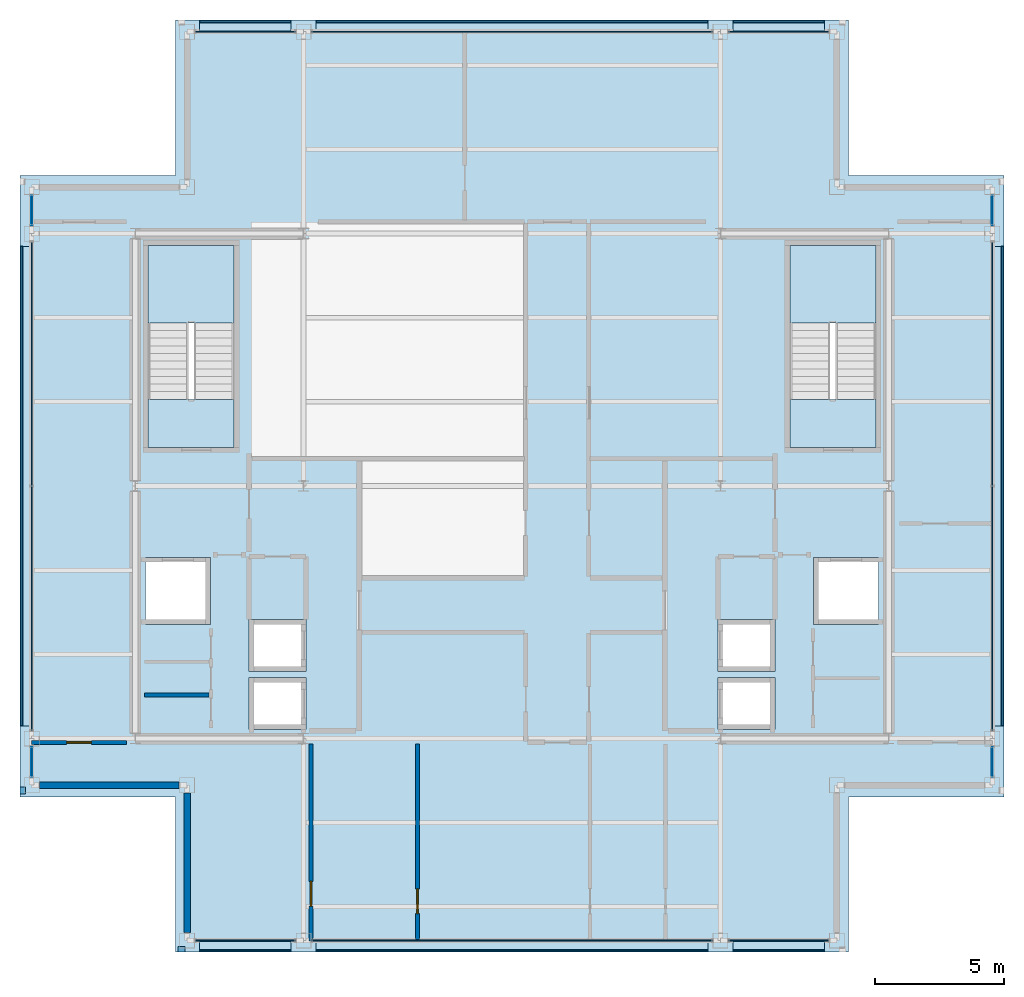
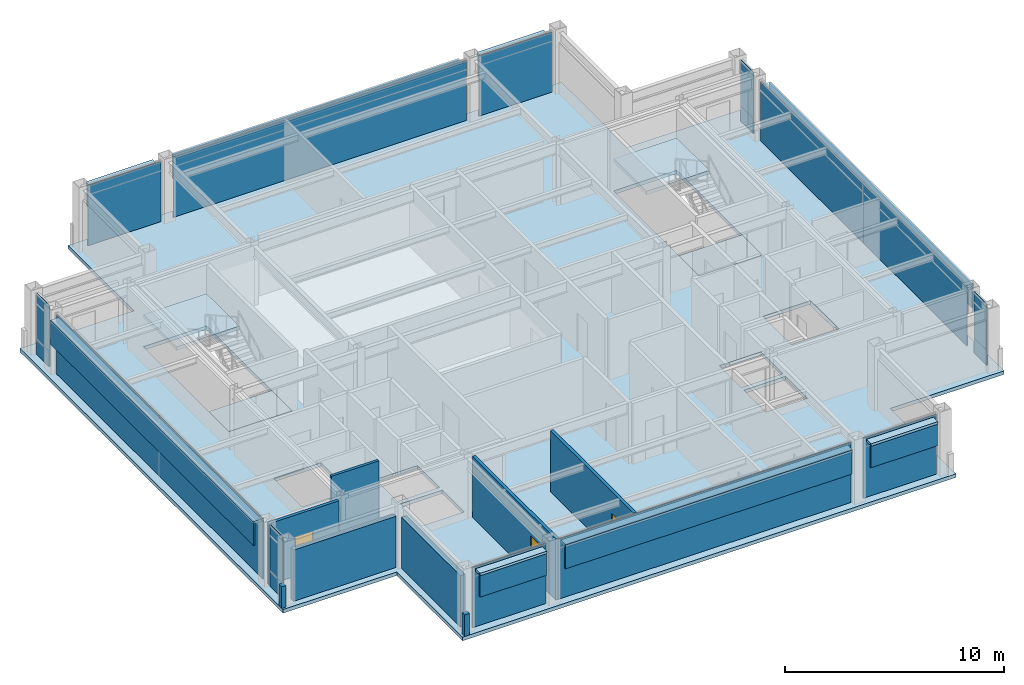
# One storey, part 16 of 20: 34 plates, 8 walls, 5 slabs, 3 doors, 3 openings, 14 elements without a shape of their own.
"""IFC4 building model written with IfcOpenShell, lengths in metres."""

from ifc_helpers import new_model, si_unit, direction, frame, frame_2d, origin, origin_2d, place, context, subcontext, project, spatial, polyline, rectangle, outline, extrude, material, layer, layer_set, type_object, element, fill, aggregate, save


model = new_model("IFC4")

# Units and contexts
model_context = context("Model", 3, precision=1e-05, world=origin(), true_north=direction((0.0, 1.0)))
body_context = subcontext(model_context, "Body", "Model", "MODEL_VIEW")
ifc_project = project(units=[si_unit("LENGTHUNIT", "METRE"), si_unit("AREAUNIT", "SQUARE_METRE"), si_unit("VOLUMEUNIT", "CUBIC_METRE"), si_unit("PLANEANGLEUNIT", "RADIAN"), si_unit("MASSUNIT", "GRAM", prefix="KILO")], contexts=[model_context])

# Site, building, storey
site_placement = place(None, origin())
site = spatial("IfcSite", under=ifc_project, at=site_placement, CompositionType="ELEMENT")
building_placement = place(site_placement, origin())
building = spatial("IfcBuilding", under=site, at=building_placement, Name="Brelmoor Portico Tower", CompositionType="ELEMENT")
storey_placement = place(building_placement, frame((0.0, 0.0, 272.39990234375)))
storey = spatial("IfcBuildingStorey", under=building, at=storey_placement, Name="L72", CompositionType="ELEMENT", Elevation=272.39990234375)

# Curtain wall, plate
ifc_material_1 = material(Name="Anodised Aluminium Alloy 6063-T6", Category="aluminium")
ifc_layer_1 = layer(ifc_material_1, 0.179931640625)
ifc_layer_set_1 = layer_set([ifc_layer_1], Name="Anodised Aluminium Alloy 6063-T6")
curtain_wall_type_1 = type_object("IfcCurtainWallType", Name="CW-TOWER-Z4", PredefinedType="NOTDEFINED", material=ifc_layer_set_1)
curtain_wall_1_placement = place(storey_placement, origin())
curtain_wall_1 = element("IfcCurtainWall", 1, at=curtain_wall_1_placement, inside=storey, type_object=curtain_wall_type_1, Name="L72 Curtain Wall CW-L72-03-1", PredefinedType="NOTDEFINED")
ifc_material_2 = material(Name="Double-Silver Low-E Insulated Glazing", Category="glass")
ifc_layer_2 = layer(ifc_material_2, 0.035888671875)
ifc_layer_set_2 = layer_set([ifc_layer_2], Name="Double-Silver Low-E Insulated Glazing")
plate_type_1 = type_object("IfcPlateType", Name="PT-CW-GLASS", PredefinedType="CURTAIN_PANEL", material=ifc_layer_set_2)
plate_1_placement = place(storey_placement, frame((-18.550048828125, -10.64990234375, 0.85009765625), z_axis=(0.0, 0.0, 1.0), x_axis=(0.0, 1.0, 0.0)))
plate_1 = element("IfcPlate", 2, at=plate_1_placement, type_object=plate_type_1, Name="CW-L72-03-1 Vision Glass Panel 00", PredefinedType="CURTAIN_PANEL", context=body_context, shape_type="SweptSolid", body=[
    extrude(rectangle(XDim=1.14990234375, YDim=0.035888671875, at=origin_2d()), origin(), (0.0, 0.0, 1.0), 2.550048828125),
])

curtain_wall_2_placement = place(storey_placement, origin())
curtain_wall_2 = element("IfcCurtainWall", 3, at=curtain_wall_2_placement, inside=storey, type_object=curtain_wall_type_1, Name="L72 Curtain Wall CW-L72-03-3", PredefinedType="NOTDEFINED")
plate_2_placement = place(storey_placement, frame((-18.550048828125, 10.64990234375, 0.85009765625), z_axis=(0.0, 0.0, 1.0), x_axis=(0.0, 1.0, 0.0)))
plate_2 = element("IfcPlate", 4, at=plate_2_placement, type_object=plate_type_1, Name="CW-L72-03-3 Vision Glass Panel 00", PredefinedType="CURTAIN_PANEL", context=body_context, shape_type="SweptSolid", body=[
    extrude(rectangle(XDim=1.14990234375, YDim=0.035888671875, at=origin_2d()), origin(), (0.0, 0.0, 1.0), 2.550048828125),
])

curtain_wall_3_placement = place(storey_placement, origin())
curtain_wall_3 = element("IfcCurtainWall", 5, at=curtain_wall_3_placement, inside=storey, type_object=curtain_wall_type_1, Name="L72 Curtain Wall CW-L72-04-1", PredefinedType="NOTDEFINED")
plate_3_placement = place(storey_placement, frame((18.550048828125, -10.64990234375, 0.85009765625), z_axis=(0.0, 0.0, 1.0), x_axis=(0.0, 1.0, 0.0)))
plate_3 = element("IfcPlate", 6, at=plate_3_placement, type_object=plate_type_1, Name="CW-L72-04-1 Vision Glass Panel 00", PredefinedType="CURTAIN_PANEL", context=body_context, shape_type="SweptSolid", body=[
    extrude(rectangle(XDim=1.14990234375, YDim=0.035888671875, at=origin_2d()), origin(), (0.0, 0.0, 1.0), 2.550048828125),
])

curtain_wall_4_placement = place(storey_placement, origin())
curtain_wall_4 = element("IfcCurtainWall", 7, at=curtain_wall_4_placement, inside=storey, type_object=curtain_wall_type_1, Name="L72 Curtain Wall CW-L72-04-3", PredefinedType="NOTDEFINED")
plate_4_placement = place(storey_placement, frame((18.550048828125, 10.64990234375, 0.85009765625), z_axis=(0.0, 0.0, 1.0), x_axis=(0.0, 1.0, 0.0)))
plate_4 = element("IfcPlate", 8, at=plate_4_placement, type_object=plate_type_1, Name="CW-L72-04-3 Vision Glass Panel 00", PredefinedType="CURTAIN_PANEL", context=body_context, shape_type="SweptSolid", body=[
    extrude(rectangle(XDim=1.14990234375, YDim=0.035888671875, at=origin_2d()), origin(), (0.0, 0.0, 1.0), 2.550048828125),
])

ifc_layer_3 = layer(ifc_material_1, 0.179931640625)
ifc_layer_set_3 = layer_set([ifc_layer_3], Name="Anodised Aluminium Alloy 6063-T6")
curtain_wall_type_2 = type_object("IfcCurtainWallType", Name="CW-TOWER-Z4-XB", PredefinedType="NOTDEFINED", material=ifc_layer_set_3)
curtain_wall_5_placement = place(storey_placement, origin())
curtain_wall_5 = element("IfcCurtainWall", 9, at=curtain_wall_5_placement, inside=storey, type_object=curtain_wall_type_2, Name="L72 Curtain Wall CW-L72-01-1", PredefinedType="NOTDEFINED")
ifc_material_3 = material(Name="Pale Champagne Anodised Aluminium Panel", Category="aluminium")
ifc_layer_4 = layer(ifc_material_3, 0.050048828125)
ifc_layer_set_4 = layer_set([ifc_layer_4], Name="Pale Champagne Anodised Aluminium Panel")
plate_type_2 = type_object("IfcPlateType", Name="PT-CW-SPANDREL", PredefinedType="SHEET", material=ifc_layer_set_4)
plate_5_placement = place(storey_placement, frame((-10.300048828125, -17.550048828125, 0.0), z_axis=(0.0, 0.0, 1.0), x_axis=(1.0, 0.0, 0.0)))
plate_5 = element("IfcPlate", 10, at=plate_5_placement, type_object=plate_type_2, Name="CW-L72-01-1 Spandrel Panel 00", PredefinedType="SHEET", context=body_context, shape_type="SweptSolid", body=[
    extrude(rectangle(XDim=3.85009765625, YDim=0.050048828125, at=origin_2d()), origin(), (0.0, 0.0, 1.0), 3.33740234375),
])
aggregate(curtain_wall_5, [plate_5])

curtain_wall_6_placement = place(storey_placement, origin())
curtain_wall_6 = element("IfcCurtainWall", 11, at=curtain_wall_6_placement, inside=storey, type_object=curtain_wall_type_2, Name="L72 Curtain Wall CW-L72-01-2", PredefinedType="NOTDEFINED")
plate_6_placement = place(storey_placement, frame((0.0, -17.550048828125, 0.0), z_axis=(0.0, 0.0, 1.0), x_axis=(1.0, 0.0, 0.0)))
plate_6 = element("IfcPlate", 12, at=plate_6_placement, type_object=plate_type_2, Name="CW-L72-01-2 Spandrel Panel 00", PredefinedType="SHEET", context=body_context, shape_type="SweptSolid", body=[
    extrude(rectangle(XDim=15.449951171875, YDim=0.050048828125, at=origin_2d()), origin(), (0.0, 0.0, 1.0), 3.33740234375),
])
aggregate(curtain_wall_6, [plate_6])

curtain_wall_7_placement = place(storey_placement, origin())
curtain_wall_7 = element("IfcCurtainWall", 13, at=curtain_wall_7_placement, inside=storey, type_object=curtain_wall_type_2, Name="L72 Curtain Wall CW-L72-01-3", PredefinedType="NOTDEFINED")
plate_7_placement = place(storey_placement, frame((10.300048828125, -17.550048828125, 0.0), z_axis=(0.0, 0.0, 1.0), x_axis=(1.0, 0.0, 0.0)))
plate_7 = element("IfcPlate", 14, at=plate_7_placement, type_object=plate_type_2, Name="CW-L72-01-3 Spandrel Panel 00", PredefinedType="SHEET", context=body_context, shape_type="SweptSolid", body=[
    extrude(rectangle(XDim=3.85009765625, YDim=0.050048828125, at=origin_2d()), origin(), (0.0, 0.0, 1.0), 3.33740234375),
])
aggregate(curtain_wall_7, [plate_7])

curtain_wall_8_placement = place(storey_placement, origin())
curtain_wall_8 = element("IfcCurtainWall", 15, at=curtain_wall_8_placement, inside=storey, type_object=curtain_wall_type_2, Name="L72 Curtain Wall CW-L72-02-1", PredefinedType="NOTDEFINED")
plate_8_placement = place(storey_placement, frame((-10.300048828125, 17.550048828125, 0.0), z_axis=(0.0, 0.0, 1.0), x_axis=(1.0, 0.0, 0.0)))
plate_8 = element("IfcPlate", 16, at=plate_8_placement, type_object=plate_type_2, Name="CW-L72-02-1 Spandrel Panel 00", PredefinedType="SHEET", context=body_context, shape_type="SweptSolid", body=[
    extrude(rectangle(XDim=3.85009765625, YDim=0.050048828125, at=origin_2d()), origin(), (0.0, 0.0, 1.0), 3.33740234375),
])
aggregate(curtain_wall_8, [plate_8])

curtain_wall_9_placement = place(storey_placement, origin())
curtain_wall_9 = element("IfcCurtainWall", 17, at=curtain_wall_9_placement, inside=storey, type_object=curtain_wall_type_2, Name="L72 Curtain Wall CW-L72-02-2", PredefinedType="NOTDEFINED")
plate_9_placement = place(storey_placement, frame((0.0, 17.550048828125, 0.0), z_axis=(0.0, 0.0, 1.0), x_axis=(1.0, 0.0, 0.0)))
plate_9 = element("IfcPlate", 18, at=plate_9_placement, type_object=plate_type_2, Name="CW-L72-02-2 Spandrel Panel 00", PredefinedType="SHEET", context=body_context, shape_type="SweptSolid", body=[
    extrude(rectangle(XDim=15.449951171875, YDim=0.050048828125, at=origin_2d()), origin(), (0.0, 0.0, 1.0), 3.33740234375),
])
aggregate(curtain_wall_9, [plate_9])

curtain_wall_10_placement = place(storey_placement, origin())
curtain_wall_10 = element("IfcCurtainWall", 19, at=curtain_wall_10_placement, inside=storey, type_object=curtain_wall_type_2, Name="L72 Curtain Wall CW-L72-02-3", PredefinedType="NOTDEFINED")
plate_10_placement = place(storey_placement, frame((10.300048828125, 17.550048828125, 0.0), z_axis=(0.0, 0.0, 1.0), x_axis=(1.0, 0.0, 0.0)))
plate_10 = element("IfcPlate", 20, at=plate_10_placement, type_object=plate_type_2, Name="CW-L72-02-3 Spandrel Panel 00", PredefinedType="SHEET", context=body_context, shape_type="SweptSolid", body=[
    extrude(rectangle(XDim=3.85009765625, YDim=0.050048828125, at=origin_2d()), origin(), (0.0, 0.0, 1.0), 3.33740234375),
])
aggregate(curtain_wall_10, [plate_10])

# Plate
plate_11_placement = place(storey_placement, frame((-18.550048828125, -10.64990234375, 0.0), z_axis=(0.0, 0.0, 1.0), x_axis=(0.0, 1.0, 0.0)))
plate_11 = element("IfcPlate", 21, at=plate_11_placement, type_object=plate_type_2, Name="CW-L72-03-1 Spandrel Panel 00", PredefinedType="SHEET", context=body_context, shape_type="SweptSolid", body=[
    extrude(rectangle(XDim=1.14990234375, YDim=0.050048828125, at=origin_2d()), origin(), (0.0, 0.0, 1.0), 0.85009765625),
])

aggregate(curtain_wall_1, [plate_11, plate_1])

# Curtain wall, plates
curtain_wall_11_placement = place(storey_placement, origin())
curtain_wall_11 = element("IfcCurtainWall", 22, at=curtain_wall_11_placement, inside=storey, type_object=curtain_wall_type_2, Name="L72 Curtain Wall CW-L72-03-2", PredefinedType="NOTDEFINED")
plate_12_placement = place(storey_placement, frame((-18.550048828125, -4.719970703125, 0.0), z_axis=(0.0, 0.0, 1.0), x_axis=(0.0, 1.0, 0.0)))
plate_12 = element("IfcPlate", 23, at=plate_12_placement, type_object=plate_type_2, Name="CW-L72-03-2 Spandrel Panel 00", PredefinedType="SHEET", context=body_context, shape_type="SweptSolid", body=[
    extrude(rectangle(XDim=9.409912109375, YDim=0.050048828125, at=origin_2d()), origin(), (0.0, 0.0, 1.0), 3.33740234375),
])
plate_13_placement = place(storey_placement, frame((-18.550048828125, 4.719970703125, 0.0), z_axis=(0.0, 0.0, 1.0), x_axis=(0.0, 1.0, 0.0)))
plate_13 = element("IfcPlate", 24, at=plate_13_placement, type_object=plate_type_2, Name="CW-L72-03-2 Spandrel Panel 01", PredefinedType="SHEET", context=body_context, shape_type="SweptSolid", body=[
    extrude(rectangle(XDim=9.409912109375, YDim=0.050048828125, at=origin_2d()), origin(), (0.0, 0.0, 1.0), 3.33740234375),
])
aggregate(curtain_wall_11, [plate_12, plate_13])

# Plate
plate_14_placement = place(storey_placement, frame((-18.550048828125, 10.64990234375, 0.0), z_axis=(0.0, 0.0, 1.0), x_axis=(0.0, 1.0, 0.0)))
plate_14 = element("IfcPlate", 25, at=plate_14_placement, type_object=plate_type_2, Name="CW-L72-03-3 Spandrel Panel 00", PredefinedType="SHEET", context=body_context, shape_type="SweptSolid", body=[
    extrude(rectangle(XDim=1.14990234375, YDim=0.050048828125, at=origin_2d()), origin(), (0.0, 0.0, 1.0), 0.85009765625),
])

aggregate(curtain_wall_2, [plate_14, plate_2])

plate_15_placement = place(storey_placement, frame((18.550048828125, -10.64990234375, 0.0), z_axis=(0.0, 0.0, 1.0), x_axis=(0.0, 1.0, 0.0)))
plate_15 = element("IfcPlate", 26, at=plate_15_placement, type_object=plate_type_2, Name="CW-L72-04-1 Spandrel Panel 00", PredefinedType="SHEET", context=body_context, shape_type="SweptSolid", body=[
    extrude(rectangle(XDim=1.14990234375, YDim=0.050048828125, at=origin_2d()), origin(), (0.0, 0.0, 1.0), 0.85009765625),
])

aggregate(curtain_wall_3, [plate_15, plate_3])

# Curtain wall, plates
curtain_wall_12_placement = place(storey_placement, origin())
curtain_wall_12 = element("IfcCurtainWall", 27, at=curtain_wall_12_placement, inside=storey, type_object=curtain_wall_type_2, Name="L72 Curtain Wall CW-L72-04-2", PredefinedType="NOTDEFINED")
plate_16_placement = place(storey_placement, frame((18.550048828125, -4.719970703125, 0.0), z_axis=(0.0, 0.0, 1.0), x_axis=(0.0, 1.0, 0.0)))
plate_16 = element("IfcPlate", 28, at=plate_16_placement, type_object=plate_type_2, Name="CW-L72-04-2 Spandrel Panel 00", PredefinedType="SHEET", context=body_context, shape_type="SweptSolid", body=[
    extrude(rectangle(XDim=9.409912109375, YDim=0.050048828125, at=origin_2d()), origin(), (0.0, 0.0, 1.0), 3.33740234375),
])
plate_17_placement = place(storey_placement, frame((18.550048828125, 4.719970703125, 0.0), z_axis=(0.0, 0.0, 1.0), x_axis=(0.0, 1.0, 0.0)))
plate_17 = element("IfcPlate", 29, at=plate_17_placement, type_object=plate_type_2, Name="CW-L72-04-2 Spandrel Panel 01", PredefinedType="SHEET", context=body_context, shape_type="SweptSolid", body=[
    extrude(rectangle(XDim=9.409912109375, YDim=0.050048828125, at=origin_2d()), origin(), (0.0, 0.0, 1.0), 3.33740234375),
])
aggregate(curtain_wall_12, [plate_16, plate_17])

# Plate
plate_18_placement = place(storey_placement, frame((18.550048828125, 10.64990234375, 0.0), z_axis=(0.0, 0.0, 1.0), x_axis=(0.0, 1.0, 0.0)))
plate_18 = element("IfcPlate", 30, at=plate_18_placement, type_object=plate_type_2, Name="CW-L72-04-3 Spandrel Panel 00", PredefinedType="SHEET", context=body_context, shape_type="SweptSolid", body=[
    extrude(rectangle(XDim=1.14990234375, YDim=0.050048828125, at=origin_2d()), origin(), (0.0, 0.0, 1.0), 0.85009765625),
])

aggregate(curtain_wall_4, [plate_18, plate_4])

# Plates
ifc_material_4 = material(Name="Powder-Coated Aluminium Shuttered Jalousie Louvre", Category="aluminium")
ifc_layer_5 = layer(ifc_material_4, 0.06005859375)
ifc_layer_set_5 = layer_set([ifc_layer_5], Name="Powder-Coated Aluminium Shuttered Jalousie Louvre")
plate_type_3 = type_object("IfcPlateType", Name="PT-JALOUSIE-SHUTTER", PredefinedType="SHEET", material=ifc_layer_set_5)
plate_19_placement = place(storey_placement, frame((-10.300048828125, -17.929931640625, 1.8740234375), z_axis=(0.0, 0.0, 1.0), x_axis=(1.0, 0.0, 0.0)))
element("IfcPlate", 31, at=plate_19_placement, inside=storey, type_object=plate_type_3, Name="CW-L72-01-1 Perforated Jalousie Solar Screen", PredefinedType="SHEET", context=body_context, shape_type="SweptSolid", body=[
    extrude(rectangle(XDim=3.52001953125, YDim=0.06494140625, at=origin_2d()), origin(), (0.0, 0.0, 1.0), 1.325927734375),
])
plate_20_placement = place(storey_placement, frame((0.0, -17.929931640625, 1.8740234375), z_axis=(0.0, 0.0, 1.0), x_axis=(1.0, 0.0, 0.0)))
element("IfcPlate", 32, at=plate_20_placement, inside=storey, type_object=plate_type_3, Name="CW-L72-01-2 Perforated Jalousie Solar Screen", PredefinedType="SHEET", context=body_context, shape_type="SweptSolid", body=[
    extrude(rectangle(XDim=15.1201171875, YDim=0.06494140625, at=origin_2d()), origin(), (0.0, 0.0, 1.0), 1.325927734375),
])
for number, where, z_axis, x_axis, name in (
    (33, (10.300048828125, -17.929931640625, 1.8740234375), (0.0, 0.0, 1.0), (1.0, 0.0, 0.0), "CW-L72-01-3 Perforated Jalousie Solar Screen"),
    (34, (-10.300048828125, 17.929931640625, 1.8740234375), (0.0, 0.0, 1.0), (1.0, 0.0, 0.0), "CW-L72-02-1 Perforated Jalousie Solar Screen"),
):
    element("IfcPlate", number, at=place(storey_placement, frame(where, z_axis=z_axis, x_axis=x_axis)), inside=storey, type_object=plate_type_3, Name=name, PredefinedType="SHEET", context=body_context, shape_type="SweptSolid", body=[
        extrude(rectangle(XDim=3.52001953125, YDim=0.06494140625, at=origin_2d()), origin(), (0.0, 0.0, 1.0), 1.325927734375),
    ])
plate_21_placement = place(storey_placement, frame((0.0, 17.929931640625, 1.8740234375), z_axis=(0.0, 0.0, 1.0), x_axis=(1.0, 0.0, 0.0)))
element("IfcPlate", 35, at=plate_21_placement, inside=storey, type_object=plate_type_3, Name="CW-L72-02-2 Perforated Jalousie Solar Screen", PredefinedType="SHEET", context=body_context, shape_type="SweptSolid", body=[
    extrude(rectangle(XDim=15.1201171875, YDim=0.06494140625, at=origin_2d()), origin(), (0.0, 0.0, 1.0), 1.325927734375),
])
plate_22_placement = place(storey_placement, frame((10.300048828125, 17.929931640625, 1.8740234375), z_axis=(0.0, 0.0, 1.0), x_axis=(1.0, 0.0, 0.0)))
element("IfcPlate", 36, at=plate_22_placement, inside=storey, type_object=plate_type_3, Name="CW-L72-02-3 Perforated Jalousie Solar Screen", PredefinedType="SHEET", context=body_context, shape_type="SweptSolid", body=[
    extrude(rectangle(XDim=3.52001953125, YDim=0.06494140625, at=origin_2d()), origin(), (0.0, 0.0, 1.0), 1.325927734375),
])
for number, where, z_axis, x_axis, name in (
    (37, (-18.929931640625, 0.0, 1.8740234375), (0.0, 0.0, 1.0), (0.0, 1.0, 0.0), "CW-L72-03-2 Perforated Jalousie Solar Screen"),
    (38, (18.929931640625, 0.0, 1.8740234375), (0.0, 0.0, 1.0), (0.0, 1.0, 0.0), "CW-L72-04-2 Perforated Jalousie Solar Screen"),
):
    element("IfcPlate", number, at=place(storey_placement, frame(where, z_axis=z_axis, x_axis=x_axis)), inside=storey, type_object=plate_type_3, Name=name, PredefinedType="SHEET", context=body_context, shape_type="SweptSolid", body=[
        extrude(rectangle(XDim=18.52001953125, YDim=0.06494140625, at=origin_2d()), origin(), (0.0, 0.0, 1.0), 1.325927734375),
    ])
ifc_material_5 = material(Name="Pale Champagne Perforated Aluminium Solar Screen", Category="aluminium")
ifc_layer_6 = layer(ifc_material_5, 0.054931640625)
ifc_layer_set_6 = layer_set([ifc_layer_6], Name="Pale Champagne Perforated Aluminium Solar Screen")
plate_type_4 = type_object("IfcPlateType", Name="PT-SOLAR-LOUVRE", PredefinedType="SHEET", material=ifc_layer_set_6)
plate_23_placement = place(storey_placement, frame((-10.300048828125, -17.760009765625, 3.09033203125), z_axis=(0.0, 0.0, 1.0), x_axis=(1.0, 0.0, 0.0)))
element("IfcPlate", 39, at=plate_23_placement, inside=storey, type_object=plate_type_4, Name="CW-L72-01-1 Caribbean Brise-Soleil Solar Screen", PredefinedType="SHEET", context=body_context, shape_type="SweptSolid", body=[
    extrude(rectangle(XDim=3.52001953125, YDim=0.4599609375, at=origin_2d()), origin(), (0.0, 0.0, 1.0), 0.139892578125),
])
plate_24_placement = place(storey_placement, frame((0.0, -17.760009765625, 3.09033203125), z_axis=(0.0, 0.0, 1.0), x_axis=(1.0, 0.0, 0.0)))
element("IfcPlate", 40, at=plate_24_placement, inside=storey, type_object=plate_type_4, Name="CW-L72-01-2 Caribbean Brise-Soleil Solar Screen", PredefinedType="SHEET", context=body_context, shape_type="SweptSolid", body=[
    extrude(rectangle(XDim=15.1201171875, YDim=0.4599609375, at=origin_2d()), origin(), (0.0, 0.0, 1.0), 0.139892578125),
])
for number, where, z_axis, x_axis, name in (
    (41, (10.300048828125, -17.760009765625, 3.09033203125), (0.0, 0.0, 1.0), (1.0, 0.0, 0.0), "CW-L72-01-3 Caribbean Brise-Soleil Solar Screen"),
    (42, (-10.300048828125, 17.760009765625, 3.09033203125), (0.0, 0.0, 1.0), (1.0, 0.0, 0.0), "CW-L72-02-1 Caribbean Brise-Soleil Solar Screen"),
):
    element("IfcPlate", number, at=place(storey_placement, frame(where, z_axis=z_axis, x_axis=x_axis)), inside=storey, type_object=plate_type_4, Name=name, PredefinedType="SHEET", context=body_context, shape_type="SweptSolid", body=[
        extrude(rectangle(XDim=3.52001953125, YDim=0.4599609375, at=origin_2d()), origin(), (0.0, 0.0, 1.0), 0.139892578125),
    ])
plate_25_placement = place(storey_placement, frame((0.0, 17.760009765625, 3.09033203125), z_axis=(0.0, 0.0, 1.0), x_axis=(1.0, 0.0, 0.0)))
element("IfcPlate", 43, at=plate_25_placement, inside=storey, type_object=plate_type_4, Name="CW-L72-02-2 Caribbean Brise-Soleil Solar Screen", PredefinedType="SHEET", context=body_context, shape_type="SweptSolid", body=[
    extrude(rectangle(XDim=15.1201171875, YDim=0.4599609375, at=origin_2d()), origin(), (0.0, 0.0, 1.0), 0.139892578125),
])
plate_26_placement = place(storey_placement, frame((10.300048828125, 17.760009765625, 3.09033203125), z_axis=(0.0, 0.0, 1.0), x_axis=(1.0, 0.0, 0.0)))
element("IfcPlate", 44, at=plate_26_placement, inside=storey, type_object=plate_type_4, Name="CW-L72-02-3 Caribbean Brise-Soleil Solar Screen", PredefinedType="SHEET", context=body_context, shape_type="SweptSolid", body=[
    extrude(rectangle(XDim=3.52001953125, YDim=0.4599609375, at=origin_2d()), origin(), (0.0, 0.0, 1.0), 0.139892578125),
])
for number, where, z_axis, x_axis, name in (
    (45, (-18.760009765625, 0.0, 3.09033203125), (0.0, 0.0, 1.0), (0.0, 1.0, 0.0), "CW-L72-03-2 Caribbean Brise-Soleil Solar Screen"),
    (46, (18.760009765625, 0.0, 3.09033203125), (0.0, 0.0, 1.0), (0.0, 1.0, 0.0), "CW-L72-04-2 Caribbean Brise-Soleil Solar Screen"),
):
    element("IfcPlate", number, at=place(storey_placement, frame(where, z_axis=z_axis, x_axis=x_axis)), inside=storey, type_object=plate_type_4, Name=name, PredefinedType="SHEET", context=body_context, shape_type="SweptSolid", body=[
        extrude(rectangle(XDim=18.52001953125, YDim=0.4599609375, at=origin_2d()), origin(), (0.0, 0.0, 1.0), 0.139892578125),
    ])

# Slab
ifc_material_6 = material(Name="Concrete C40", Category="concrete")
ifc_layer_7 = layer(ifc_material_6, 0.199951171875)
ifc_layer_set_7 = layer_set([ifc_layer_7], Name="Concrete C40")
slab_type_1 = type_object("IfcSlabType", Name="SL-FLOOR-200", PredefinedType="FLOOR", material=ifc_layer_set_7)
slab_1_placement = place(storey_placement, frame((0.0, 0.0, -0.199951171875)))
element("IfcSlab", 47, at=slab_1_placement, inside=storey, type_object=slab_type_1, Name="L72 Main Structural Floor Slab", PredefinedType="FLOOR", context=body_context, shape_type="SweptSolid", body=[
    extrude(outline(polyline([(-13.0, -18.0), (13.0, -18.0), (13.0, -12.0), (19.0, -12.0), (19.0, 12.0), (13.0, 12.0), (13.0, 18.0), (-13.0, 18.0), (-13.0, 12.0), (-19.0, 12.0), (-19.0, -12.0), (-13.0, -12.0), (-13.0, -18.0)]), holes=[polyline([(-10.72998046875, 1.5), (-10.72998046875, 9.300048828125), (-14.050048828125, 9.300048828125), (-14.050048828125, 1.5), (-10.72998046875, 1.5)]), polyline([(14.050048828125, 1.5), (14.050048828125, 9.300048828125), (10.72998046875, 9.300048828125), (10.72998046875, 1.5), (14.050048828125, 1.5)]), polyline([(-10.14990234375, -9.39990234375), (-7.949951171875, -9.39990234375), (-7.949951171875, -7.39990234375), (-10.14990234375, -7.39990234375), (-10.14990234375, -9.39990234375)]), polyline([(-10.14990234375, -7.14990234375), (-7.949951171875, -7.14990234375), (-7.949951171875, -5.14990234375), (-10.14990234375, -5.14990234375), (-10.14990234375, -7.14990234375)]), polyline([(7.949951171875, -9.39990234375), (10.14990234375, -9.39990234375), (10.14990234375, -7.39990234375), (7.949951171875, -7.39990234375), (7.949951171875, -9.39990234375)]), polyline([(7.949951171875, -7.14990234375), (10.14990234375, -7.14990234375), (10.14990234375, -5.14990234375), (7.949951171875, -5.14990234375), (7.949951171875, -7.14990234375)]), polyline([(-14.14990234375, -5.35009765625), (-11.64990234375, -5.35009765625), (-11.64990234375, -2.75), (-14.14990234375, -2.75), (-14.14990234375, -5.35009765625)]), polyline([(11.64990234375, -5.35009765625), (14.14990234375, -5.35009765625), (14.14990234375, -2.75), (11.64990234375, -2.75), (11.64990234375, -5.35009765625)])]), origin(), (0.0, 0.0, 1.0), 0.199951171875),
])

# Stair, slab
stair_type_1 = type_object("IfcStairType", Name="ST-CORE-W", PredefinedType="HALF_TURN_STAIR", material=ifc_material_6)
stair_1_placement = place(storey_placement, origin())
stair_1 = element("IfcStair", 48, at=stair_1_placement, inside=storey, type_object=stair_type_1, Name="L72 Protected Core Exit Stair ST-W", PredefinedType="HALF_TURN_STAIR")
ifc_layer_8 = layer(ifc_material_6, 0.179931640625)
ifc_layer_set_8 = layer_set([ifc_layer_8], Name="Concrete C40")
slab_type_2 = type_object("IfcSlabType", Name="SL-LANDING-180", PredefinedType="LANDING", material=ifc_layer_set_8)
slab_2_placement = place(storey_placement, frame((0.0, 0.0, 1.60009765625)))
slab_2 = element("IfcSlab", 49, at=slab_2_placement, type_object=slab_type_2, Name="ST-W landing 1", PredefinedType="LANDING", context=body_context, shape_type="SweptSolid", body=[
    extrude(outline(polyline([(-10.72998046875, 6.300048828125), (-10.72998046875, 9.300048828125), (-14.050048828125, 9.300048828125), (-14.050048828125, 6.300048828125), (-10.72998046875, 6.300048828125)])), origin(), (0.0, 0.0, 1.0), 0.199951171875),
])
aggregate(stair_1, [slab_2])

stair_type_2 = type_object("IfcStairType", Name="ST-CORE-E", PredefinedType="HALF_TURN_STAIR", material=ifc_material_6)
stair_2_placement = place(storey_placement, origin())
stair_2 = element("IfcStair", 50, at=stair_2_placement, inside=storey, type_object=stair_type_2, Name="L72 Protected Core Exit Stair ST-E", PredefinedType="HALF_TURN_STAIR")
slab_3_placement = place(storey_placement, frame((0.0, 0.0, 1.60009765625)))
slab_3 = element("IfcSlab", 51, at=slab_3_placement, type_object=slab_type_2, Name="ST-E landing 1", PredefinedType="LANDING", context=body_context, shape_type="SweptSolid", body=[
    extrude(outline(polyline([(14.050048828125, 6.300048828125), (14.050048828125, 9.300048828125), (10.72998046875, 9.300048828125), (10.72998046875, 6.300048828125), (14.050048828125, 6.300048828125)])), origin(), (0.0, 0.0, 1.0), 0.199951171875),
])
aggregate(stair_2, [slab_3])

# Slabs
ifc_layer_9 = layer(ifc_material_6, 0.199951171875)
ifc_layer_set_9 = layer_set([ifc_layer_9], Name="Concrete C40")
slab_type_3 = type_object("IfcSlabType", Name="SL-STAIR-FL200", PredefinedType="LANDING", material=ifc_layer_set_9)
slab_4_placement = place(storey_placement, frame((0.0, 0.0, -0.199951171875)))
element("IfcSlab", 52, at=slab_4_placement, inside=storey, type_object=slab_type_3, Name="L72 ST-W Structural Floor Landing Slab", PredefinedType="LANDING", context=body_context, shape_type="SweptSolid", body=[
    extrude(outline(polyline([(-10.72998046875, 1.5), (-10.72998046875, 3.35009765625), (-14.050048828125, 3.35009765625), (-14.050048828125, 1.5), (-10.72998046875, 1.5)])), origin(), (0.0, 0.0, 1.0), 0.199951171875),
])
slab_5_placement = place(storey_placement, frame((0.0, 0.0, -0.199951171875)))
element("IfcSlab", 53, at=slab_5_placement, inside=storey, type_object=slab_type_3, Name="L72 ST-E Structural Floor Landing Slab", PredefinedType="LANDING", context=body_context, shape_type="SweptSolid", body=[
    extrude(outline(polyline([(14.050048828125, 1.5), (14.050048828125, 3.35009765625), (10.72998046875, 3.35009765625), (10.72998046875, 1.5), (14.050048828125, 1.5)])), origin(), (0.0, 0.0, 1.0), 0.199951171875),
])

# Walls
ifc_material_7 = material(Name="Precast Concrete C40 Insulated Facade Wall", Category="concrete")
ifc_layer_10 = layer(ifc_material_7, 0.25)
ifc_layer_set_10 = layer_set([ifc_layer_10], Name="Precast Concrete C40 Insulated Facade Wall")
wall_type_1 = type_object("IfcWallType", Name="WL-EXT-250", PredefinedType="STANDARD", material=ifc_layer_set_10)
for number, where, z_axis, x_axis, name in (
    (54, (-18.239990234375, -11.550048828125, 0.0), (0.0, 0.0, 1.0), (1.0, 0.0, 0.0), "L72 Corner Notch Facade Wall NSWH1"),
    (55, (-12.550048828125, -17.239990234375, 0.0), (0.0, 0.0, 1.0), (0.0, 1.0, 0.0), "L72 Corner Notch Facade Wall NSWV1"),
):
    element("IfcWall", number, at=place(storey_placement, frame(where, z_axis=z_axis, x_axis=x_axis)), inside=storey, type_object=wall_type_1, Name=name, PredefinedType="STANDARD", context=body_context, shape_type="SweptSolid", body=[
        extrude(rectangle(XDim=5.3798828125, YDim=0.25, at=frame_2d((2.68994140625, 0.0))), origin(), (0.0, 0.0, 1.0), 2.85009765625),
    ])
ifc_material_8 = material(Name="Concrete C40 Parapet Upstand", Category="concrete")
ifc_layer_11 = layer(ifc_material_8, 0.219970703125)
ifc_layer_set_11 = layer_set([ifc_layer_11], Name="Concrete C40 Parapet Upstand")
wall_type_2 = type_object("IfcWallType", Name="WL-PARAPET-220", PredefinedType="PARAPET", material=ifc_layer_set_11)
for number, where, z_axis, x_axis, name in (
    (56, (-12.889892578125, -17.889892578125, 0.0), (0.0, 0.0, 1.0), (1.0, 0.0, 0.0), "L72 Chamfer Vertex Parapet Pier SW1"),
    (57, (-18.889892578125, -11.889892578125, 0.0), (0.0, 0.0, 1.0), (0.0, 1.0, 0.0), "L72 Chamfer Vertex Parapet Pier SW2"),
):
    element("IfcWall", number, at=place(storey_placement, frame(where, z_axis=z_axis, x_axis=x_axis)), inside=storey, type_object=wall_type_2, Name=name, PredefinedType="PARAPET", context=body_context, shape_type="SweptSolid", body=[
        extrude(rectangle(XDim=0.269775390625, YDim=0.219970703125, at=frame_2d((0.134765625, 0.0))), origin(), (0.0, 0.0, 1.0), 1.2001953125),
    ])
ifc_material_9 = material(Name="Insulated Stud Suite Partition", Category="gypsum")
ifc_layer_12 = layer(ifc_material_9, 0.139892578125)
ifc_layer_set_12 = layer_set([ifc_layer_12], Name="Insulated Stud Suite Partition")
wall_type_3 = type_object("IfcWallType", Name="WL-PART-140", PredefinedType="PARTITIONING", material=ifc_layer_set_12)
wall_1_placement = place(storey_placement, frame((-11.699951171875, -8.066650390625, 0.0), z_axis=(0.0, 0.0, 1.0), x_axis=(-1.0, 0.0, 0.0)))
element("IfcWall", 58, at=wall_1_placement, inside=storey, type_object=wall_type_3, Name="L72 W Core WC Divider 1", PredefinedType="PARTITIONING", context=body_context, shape_type="SweptSolid", body=[
    extrude(rectangle(XDim=2.5, YDim=0.139892578125, at=frame_2d((1.25, 0.0))), origin(), (0.0, 0.0, 1.0), 3.400146484375),
])

# Wall, opening, door
ifc_material_10 = material(Name="Twin-Frame Acoustic Partition", Category="gypsum")
ifc_layer_13 = layer(ifc_material_10, 0.159912109375)
ifc_layer_set_13 = layer_set([ifc_layer_13], Name="Twin-Frame Acoustic Partition")
wall_type_4 = type_object("IfcWallType", Name="WL-PART-160", PredefinedType="PARTITIONING", material=ifc_layer_set_13)
wall_2_placement = place(storey_placement, frame((-7.7587890625, -17.56005859375, 0.0), z_axis=(0.0, 0.0, 1.0), x_axis=(0.0, 1.0, 0.0)))
wall_2 = element("IfcWall", 59, at=wall_2_placement, inside=storey, type_object=wall_type_4, Name="L72 South Suite Partition 1", PredefinedType="PARTITIONING", context=body_context, shape_type="SweptSolid", body=[
    extrude(rectangle(XDim=7.60009765625, YDim=0.159912109375, at=frame_2d((3.800048828125, 0.0))), origin(), (0.0, 0.0, 1.0), 3.400146484375),
])
opening_1_placement = place(wall_2_placement, frame((1.340087890625, 0.0, 0.0)))
opening_1 = element("IfcOpeningElement", 60, at=opening_1_placement, cuts=wall_2, Name="Opening D-IN2", PredefinedType="OPENING", context=body_context, shape_type="SweptSolid", body=[
    extrude(rectangle(XDim=0.9599609375, YDim=2.179931640625, at=frame_2d((0.47998046875, 1.08984375))), frame((0.0, 0.08984375, 0.0), z_axis=(0.0, -1.0, 0.0), x_axis=(1.0, 0.0, 0.0)), (0.0, 0.0, 1.0), 0.179931640625),
])
ifc_material_11 = material(Name="Lacquered Timber Suite Door", Category="wood")
door_type = type_object("IfcDoorType", Name="DR-INT-950", OperationType="NOTDEFINED", PredefinedType="DOOR", material=ifc_material_11)
door_1_placement = place(opening_1_placement, origin())
door_1 = element("IfcDoor", 61, at=door_1_placement, inside=storey, type_object=door_type, Name="D-2962 L72 South Suite Connecting Door 1", OperationType="SINGLE_SWING_RIGHT", OverallHeight=2.179931640625, OverallWidth=0.9599609375, PredefinedType="DOOR", context=body_context, shape_type="SweptSolid", body=[
    extrude(rectangle(XDim=0.9599609375, YDim=2.179931640625, at=frame_2d((0.47998046875, 1.08984375))), frame((0.0, 0.02490234375, 0.0), z_axis=(0.0, -1.0, 0.0), x_axis=(1.0, 0.0, 0.0)), (0.0, 0.0, 1.0), 0.050048828125),
])
fill(opening_1, door_1)

wall_3_placement = place(storey_placement, frame((-3.651123046875, -17.56005859375, 0.0), z_axis=(0.0, 0.0, 1.0), x_axis=(0.0, 1.0, 0.0)))
wall_3 = element("IfcWall", 62, at=wall_3_placement, inside=storey, type_object=wall_type_4, Name="L72 South Suite Partition 2", PredefinedType="PARTITIONING", context=body_context, shape_type="SweptSolid", body=[
    extrude(rectangle(XDim=7.60009765625, YDim=0.159912109375, at=frame_2d((3.800048828125, 0.0))), origin(), (0.0, 0.0, 1.0), 3.400146484375),
])
opening_2_placement = place(wall_3_placement, frame((1.050048828125, 0.0, 0.0)))
opening_2 = element("IfcOpeningElement", 63, at=opening_2_placement, cuts=wall_3, Name="Opening D-IN2", PredefinedType="OPENING", context=body_context, shape_type="SweptSolid", body=[
    extrude(rectangle(XDim=0.9599609375, YDim=2.179931640625, at=frame_2d((0.47998046875, 1.08984375))), frame((0.0, 0.08984375, 0.0), z_axis=(0.0, -1.0, 0.0), x_axis=(1.0, 0.0, 0.0)), (0.0, 0.0, 1.0), 0.179931640625),
])
door_2_placement = place(opening_2_placement, origin())
door_2 = element("IfcDoor", 64, at=door_2_placement, inside=storey, type_object=door_type, Name="D-2963 L72 South Suite Connecting Door 2", OperationType="SINGLE_SWING_LEFT", OverallHeight=2.179931640625, OverallWidth=0.9599609375, PredefinedType="DOOR", context=body_context, shape_type="SweptSolid", body=[
    extrude(rectangle(XDim=0.9599609375, YDim=2.179931640625, at=frame_2d((0.47998046875, 1.08984375))), frame((0.0, 0.02490234375, 0.0), z_axis=(0.0, -1.0, 0.0), x_axis=(1.0, 0.0, 0.0)), (0.0, 0.0, 1.0), 0.050048828125),
])
fill(opening_2, door_2)

wall_4_placement = place(storey_placement, frame((-18.56005859375, -9.89990234375, 0.0), z_axis=(0.0, 0.0, 1.0), x_axis=(1.0, 0.0, 0.0)))
wall_4 = element("IfcWall", 65, at=wall_4_placement, inside=storey, type_object=wall_type_4, Name="L72 South Wing Closure WL", PredefinedType="PARTITIONING", context=body_context, shape_type="SweptSolid", body=[
    extrude(rectangle(XDim=3.68017578125, YDim=0.159912109375, at=frame_2d((1.840087890625, 0.0))), origin(), (0.0, 0.0, 1.0), 3.400146484375),
])
opening_3_placement = place(wall_4_placement, frame((1.360107421875, 0.0, 0.0)))
opening_3 = element("IfcOpeningElement", 66, at=opening_3_placement, cuts=wall_4, Name="Opening D-IN2", PredefinedType="OPENING", context=body_context, shape_type="SweptSolid", body=[
    extrude(rectangle(XDim=0.9599609375, YDim=2.179931640625, at=frame_2d((0.47998046875, 1.08984375))), frame((0.0, 0.08984375, 0.0), z_axis=(0.0, -1.0, 0.0), x_axis=(1.0, 0.0, 0.0)), (0.0, 0.0, 1.0), 0.179931640625),
])
door_3_placement = place(opening_3_placement, origin())
door_3 = element("IfcDoor", 67, at=door_3_placement, inside=storey, type_object=door_type, Name="D-2969 L72 WL Wing South Suite Door", OperationType="SINGLE_SWING_LEFT", OverallHeight=2.179931640625, OverallWidth=0.9599609375, PredefinedType="DOOR", context=body_context, shape_type="SweptSolid", body=[
    extrude(rectangle(XDim=0.9599609375, YDim=2.179931640625, at=frame_2d((0.47998046875, 1.08984375))), frame((0.0, 0.02490234375, 0.0), z_axis=(0.0, -1.0, 0.0), x_axis=(1.0, 0.0, 0.0)), (0.0, 0.0, 1.0), 0.050048828125),
])
fill(opening_3, door_3)

save(model, "model.ifc")
